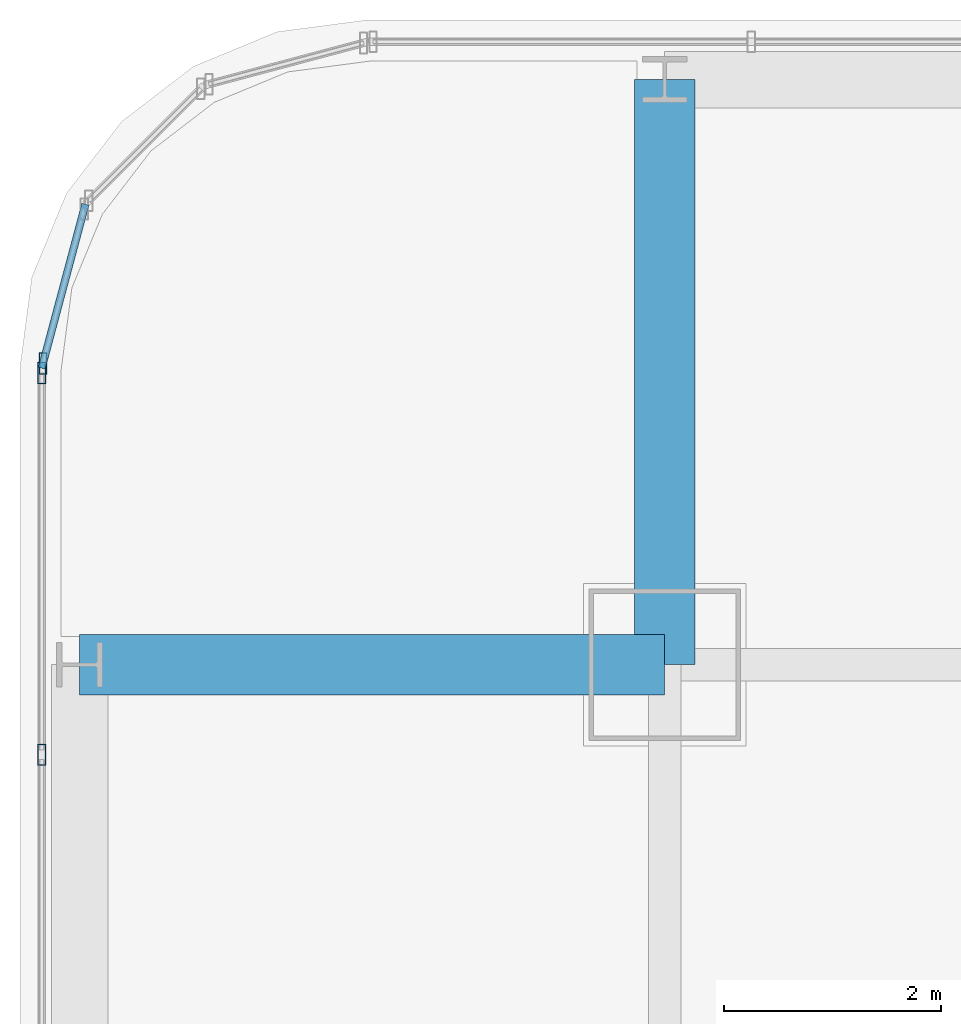
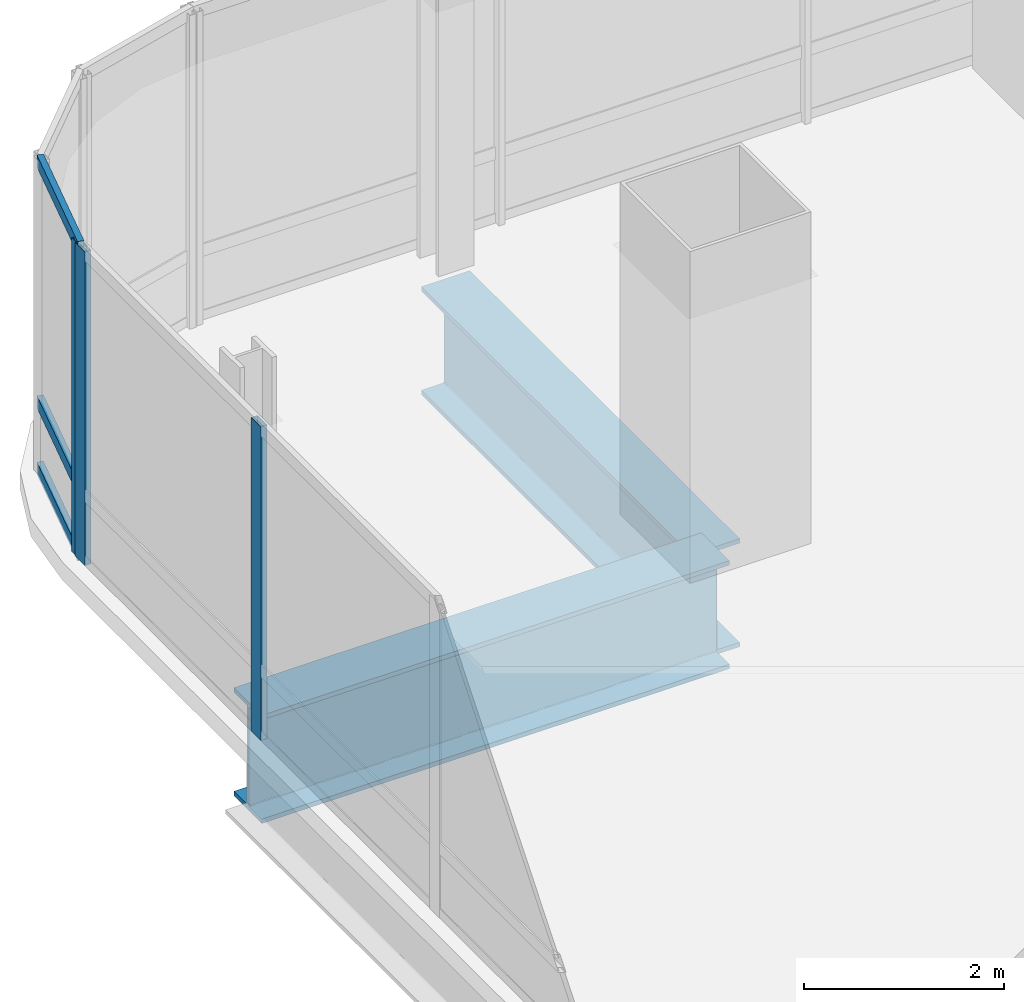
# One storey, part 19 of 38: 6 members, 2 beams, 2 elements without a shape of their own.
"""IFC4 building model written with IfcOpenShell, lengths in metres."""

from ifc_helpers import new_model, si_unit, direction, frame, origin, origin_2d, place, context, subcontext, project, spatial, hollow_rectangle, i_section, extrude, material, material_profile, profile_set, type_object, element, aggregate, save


model = new_model("IFC4")

# Units and contexts
model_context = context("Model", 3, precision=1e-05, world=origin(), true_north=direction((0.0, 1.0)))
body_context = subcontext(model_context, "Body", "Model", "MODEL_VIEW")
ifc_project = project(units=[si_unit("LENGTHUNIT", "METRE"), si_unit("AREAUNIT", "SQUARE_METRE"), si_unit("VOLUMEUNIT", "CUBIC_METRE"), si_unit("PLANEANGLEUNIT", "RADIAN"), si_unit("MASSUNIT", "GRAM", prefix="KILO")], contexts=[model_context])

# Site, building, storey
site_placement = place(None, origin())
site = spatial("IfcSite", under=ifc_project, at=site_placement, CompositionType="ELEMENT")
building_placement = place(site_placement, origin())
building = spatial("IfcBuilding", under=site, at=building_placement, Name="Punatoya Terracotta Tower", CompositionType="ELEMENT")
storey_placement = place(building_placement, frame((0.0, 0.0, 151.949951171875)))
storey = spatial("IfcBuildingStorey", under=building, at=storey_placement, Name="L35", CompositionType="ELEMENT", Elevation=151.949951171875)

# Beams
ifc_material_1 = material(Name="Steel S460", Category="steel")
ifc_material_profile_1 = material_profile(ifc_material_1, i_section(OverallWidth=0.56005859375, OverallDepth=1.320068359375, WebThickness=0.035888671875, FlangeThickness=0.054931640625, FilletRadius=0.01806640625, at=origin_2d()))
ifc_profile_set_1 = profile_set([ifc_material_profile_1], Name="Steel S460")
beam_type = type_object("IfcBeamType", Name="BM-TG-BLK", PredefinedType="BEAM", material=ifc_profile_set_1)
for number, where, z_axis, x_axis, name in (
    (1, (-24.5, 17.5, -0.8798828125), (1.0, 0.0, 0.0), (0.0, 1.0, 0.0), "BM-L35-CANT-W4"),
    (2, (-19.10009765625, 17.5, -0.8798828125), (0.0, 1.0, 0.0), (-1.0, 0.0, 0.0), "BM-L35-CANT-N1"),
):
    element("IfcBeam", number, at=place(storey_placement, frame(where, z_axis=z_axis, x_axis=x_axis)), inside=storey, type_object=beam_type, Name=name, PredefinedType="BEAM", context=body_context, shape_type="SweptSolid", body=[
        extrude(i_section(OverallWidth=0.56005859375, OverallDepth=1.320068359375, WebThickness=0.035888671875, FlangeThickness=0.054931640625, FilletRadius=0.01806640625, at=origin_2d()), origin(), (0.0, 0.0, 1.0), 5.39990234375),
    ])

# Curtain wall, member
ifc_material_2 = material(Name="Aluminium 6063-T6 + Double Low-E Glass", Category="aluminium")
curtain_wall_type = type_object("IfcCurtainWallType", Name="CW-M2", PredefinedType="NOTDEFINED", material=ifc_material_2)
curtain_wall_1_placement = place(storey_placement, origin())
curtain_wall_1 = element("IfcCurtainWall", 3, at=curtain_wall_1_placement, inside=storey, type_object=curtain_wall_type, Name="L35 Curtain Wall CW-L35-CRN12", PredefinedType="NOTDEFINED")
ifc_material_3 = material(Name="Aluminium 6063-T6", Category="aluminium")
ifc_material_profile_2 = material_profile(ifc_material_3, hollow_rectangle(XDim=0.072021484375, YDim=0.195068359375, WallThickness=0.00439453125, at=origin_2d()))
ifc_profile_set_2 = profile_set([ifc_material_profile_2], Name="Aluminium 6063-T6")
member_type_1 = type_object("IfcMemberType", Name="CW-MUL-M2", PredefinedType="MULLION", material=ifc_profile_set_2)
member_1_placement = place(storey_placement, frame((-24.83837890625, 20.280517578125, 0.0), z_axis=(0.0, 0.0, 1.0), x_axis=(1.0, 0.0, 0.0)))
member_1 = element("IfcMember", 4, at=member_1_placement, type_object=member_type_1, Name="CW-L35-CRN12 Mullion 01", PredefinedType="MULLION", context=body_context, shape_type="SweptSolid", body=[
    extrude(hollow_rectangle(XDim=0.072021484375, YDim=0.195068359375, WallThickness=0.00439453125, at=origin_2d()), origin(), (0.0, 0.0, 1.0), 3.830078125),
])

# Curtain wall, members
curtain_wall_2_placement = place(storey_placement, origin())
curtain_wall_2 = element("IfcCurtainWall", 5, at=curtain_wall_2_placement, inside=storey, type_object=curtain_wall_type, Name="L35 Curtain Wall CW-L35-W13-1", PredefinedType="NOTDEFINED")
member_2_placement = place(storey_placement, frame((-24.85009765625, 20.19189453125, 0.0), z_axis=(0.0, 0.0, 1.0), x_axis=(1.0, 0.0, 0.0)))
member_2 = element("IfcMember", 6, at=member_2_placement, type_object=member_type_1, Name="CW-L35-W13-1 Mullion 00", PredefinedType="MULLION", context=body_context, shape_type="SweptSolid", body=[
    extrude(hollow_rectangle(XDim=0.072021484375, YDim=0.195068359375, WallThickness=0.00439453125, at=origin_2d()), origin(), (0.0, 0.0, 1.0), 3.830078125),
])
member_3_placement = place(storey_placement, frame((-24.85009765625, 16.66943359375, 0.0), z_axis=(0.0, 0.0, 1.0), x_axis=(1.0, 0.0, 0.0)))
member_3 = element("IfcMember", 7, at=member_3_placement, type_object=member_type_1, Name="CW-L35-W13-1 Mullion 01", PredefinedType="MULLION", context=body_context, shape_type="SweptSolid", body=[
    extrude(hollow_rectangle(XDim=0.072021484375, YDim=0.195068359375, WallThickness=0.00439453125, at=origin_2d()), origin(), (0.0, 0.0, 1.0), 3.830078125),
])
aggregate(curtain_wall_2, [member_2, member_3])

# Member
ifc_material_profile_3 = material_profile(ifc_material_3, hollow_rectangle(XDim=0.068115234375, YDim=0.14990234375, WallThickness=0.00390625, at=origin_2d()))
ifc_profile_set_3 = profile_set([ifc_material_profile_3], Name="Aluminium 6063-T6")
member_type_2 = type_object("IfcMemberType", Name="CW-TRN-TYP", PredefinedType="USERDEFINED", material=ifc_profile_set_3)
member_4_placement = place(storey_placement, frame((-24.446533203125, 21.7490234375, 0.0400390625), z_axis=(-0.257847112249, -0.966185730957, 0.0), x_axis=(0.966185730957, -0.257847112249, 0.0)))
member_4 = element("IfcMember", 8, at=member_4_placement, type_object=member_type_2, Name="CW-L35-CRN12 Transom 1", ObjectType="TRANSOM", PredefinedType="USERDEFINED", context=body_context, shape_type="SweptSolid", body=[
    extrude(hollow_rectangle(XDim=0.068115234375, YDim=0.14990234375, WallThickness=0.00390625, at=origin_2d()), origin(), (0.0, 0.0, 1.0), 1.565185546875),
])

member_5_placement = place(storey_placement, frame((-24.446533203125, 21.7490234375, 0.85009765625), z_axis=(-0.257847112249, -0.966185730957, 0.0), x_axis=(0.966185730957, -0.257847112249, 0.0)))
member_5 = element("IfcMember", 9, at=member_5_placement, type_object=member_type_2, Name="CW-L35-CRN12 Transom 2", ObjectType="TRANSOM", PredefinedType="USERDEFINED", context=body_context, shape_type="SweptSolid", body=[
    extrude(hollow_rectangle(XDim=0.068115234375, YDim=0.14990234375, WallThickness=0.00390625, at=origin_2d()), origin(), (0.0, 0.0, 1.0), 1.565185546875),
])

member_6_placement = place(storey_placement, frame((-24.446533203125, 21.7490234375, 3.7900390625), z_axis=(-0.257847112249, -0.966185730957, 0.0), x_axis=(0.966185730957, -0.257847112249, 0.0)))
member_6 = element("IfcMember", 10, at=member_6_placement, type_object=member_type_2, Name="CW-L35-CRN12 Transom 3", ObjectType="TRANSOM", PredefinedType="USERDEFINED", context=body_context, shape_type="SweptSolid", body=[
    extrude(hollow_rectangle(XDim=0.068115234375, YDim=0.14990234375, WallThickness=0.00390625, at=origin_2d()), origin(), (0.0, 0.0, 1.0), 1.565185546875),
])

aggregate(curtain_wall_1, [member_1, member_4, member_5, member_6])

save(model, "model.ifc")
